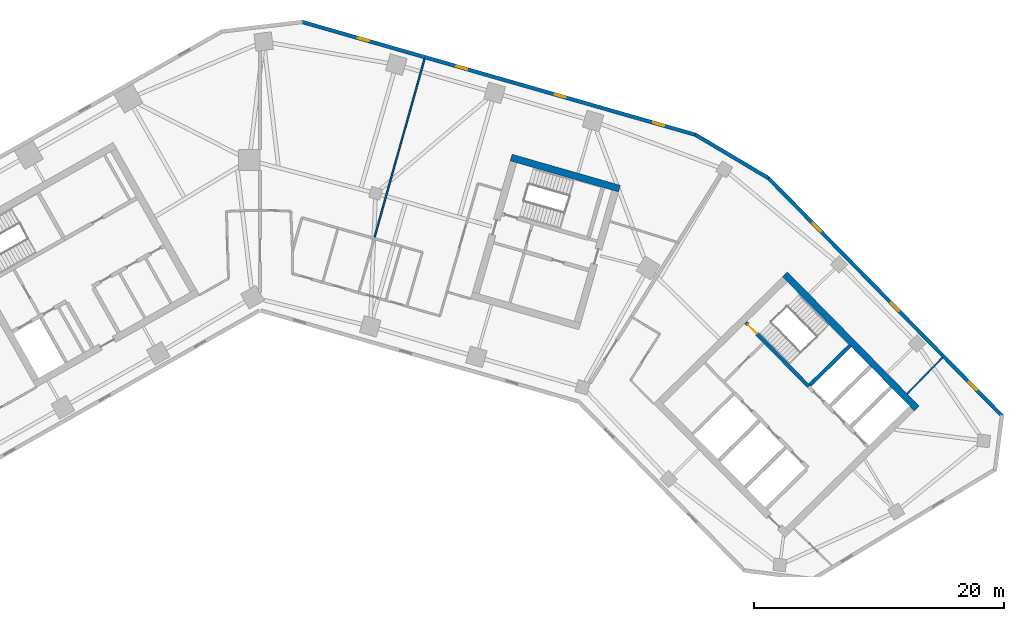
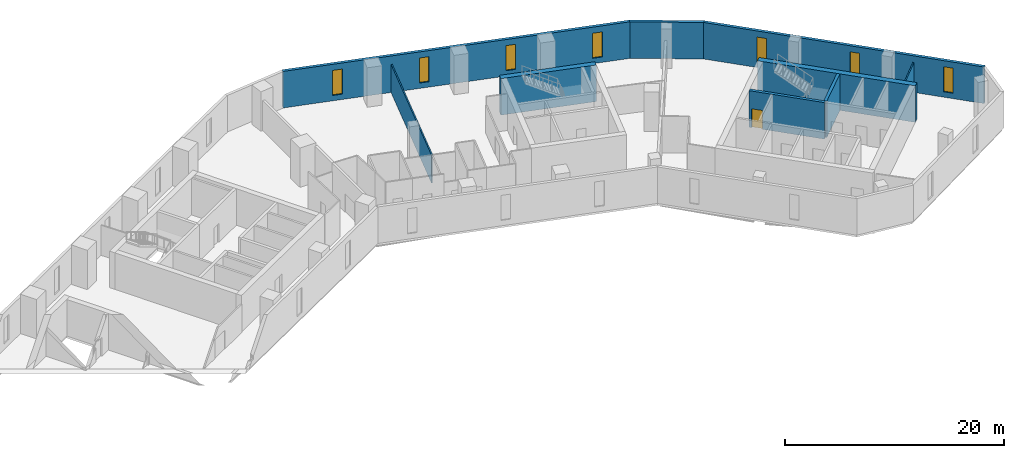
# One storey, part 7 of 10: 9 walls, 7 windows, 1 door, 8 openings.
"""IFC4 building model written with IfcOpenShell, lengths in metres."""

from ifc_helpers import new_model, si_unit, direction, frame, frame_2d, origin, place, context, subcontext, project, spatial, rectangle, extrude, material, layer, layer_set, type_object, element, fill, save


model = new_model("IFC4")

# Units and contexts
model_context = context("Model", 3, precision=1e-05, world=origin(), true_north=direction((0.0, 1.0)))
body_context = subcontext(model_context, "Body", "Model", "MODEL_VIEW")
ifc_project = project(units=[si_unit("LENGTHUNIT", "METRE"), si_unit("AREAUNIT", "SQUARE_METRE"), si_unit("VOLUMEUNIT", "CUBIC_METRE"), si_unit("PLANEANGLEUNIT", "RADIAN"), si_unit("MASSUNIT", "GRAM", prefix="KILO")], contexts=[model_context])

# Site, building, storey
site_placement = place(None, origin())
site = spatial("IfcSite", under=ifc_project, at=site_placement, CompositionType="ELEMENT")
building_placement = place(site_placement, origin())
building = spatial("IfcBuilding", under=site, at=building_placement, Name="Binnacle Exchange Tower", CompositionType="ELEMENT")
storey_placement = place(building_placement, frame((0.0, 0.0, 136.699951171875)))
storey = spatial("IfcBuildingStorey", under=building, at=storey_placement, Name="L28", CompositionType="ELEMENT", Elevation=136.699951171875)

# Walls
ifc_material_1 = material(Name="Concrete C70/85", Category="concrete")
ifc_layer_1 = layer(ifc_material_1, 0.550048828125)
ifc_layer_set_1 = layer_set([ifc_layer_1], Name="Core wall - outer 550")
wall_type_1 = type_object("IfcWallType", Name="Core wall - outer 550", PredefinedType="SOLIDWALL", material=ifc_layer_set_1)
wall_1_placement = place(storey_placement, frame((41.934326171875, 50.873291015625, 0.0), z_axis=(0.0, 0.0, 1.0), x_axis=(0.700911255944, -0.713248491965, 0.0)))
element("IfcWall", 1, at=wall_1_placement, inside=storey, type_object=wall_type_1, Name="Core wall CRWB6", PredefinedType="SOLIDWALL", context=body_context, shape_type="SweptSolid", body=[
    extrude(rectangle(XDim=15.0, YDim=0.550048828125, at=frame_2d((7.5, 0.0))), origin(), (0.0, 0.0, 1.0), 4.080078125),
])
wall_2_placement = place(storey_placement, frame((20.059814453125, 60.20361328125, 0.0), z_axis=(0.0, 0.0, 1.0), x_axis=(0.96126248289, -0.275634611374, 0.0)))
element("IfcWall", 2, at=wall_2_placement, inside=storey, type_object=wall_type_1, Name="Core wall CRWD6", PredefinedType="SOLIDWALL", context=body_context, shape_type="SweptSolid", body=[
    extrude(rectangle(XDim=9.0, YDim=0.550048828125, at=frame_2d((4.5, 0.0))), origin(), (0.0, 0.0, 1.0), 4.080078125),
])

# Wall, opening, door
ifc_layer_2 = layer(ifc_material_1, 0.300048828125)
ifc_layer_set_2 = layer_set([ifc_layer_2], Name="Core wall - stair 300")
wall_type_2 = type_object("IfcWallType", Name="Core wall - stair 300", PredefinedType="SOLIDWALL", material=ifc_layer_set_2)
wall_3_placement = place(storey_placement, frame((38.806884765625, 47.029052734375, 0.0), z_axis=(0.0, 0.0, 1.0), x_axis=(0.700916852778, -0.713242991898, 0.0)))
wall_3 = element("IfcWall", 3, at=wall_3_placement, inside=storey, type_object=wall_type_2, Name="Core wall CRWB4", PredefinedType="SOLIDWALL", context=body_context, shape_type="SweptSolid", body=[
    extrude(rectangle(XDim=7.150146484375, YDim=0.300048828125, at=frame_2d((3.5751953125, 0.0))), origin(), (0.0, 0.0, 1.0), 4.080078125),
])
opening_1_placement = place(wall_3_placement, frame((0.25, 0.0, 0.0)))
opening_1 = element("IfcOpeningElement", 4, at=opening_1_placement, cuts=wall_3, Name="Opening DB1", PredefinedType="OPENING", context=body_context, shape_type="SweptSolid", body=[
    extrude(rectangle(XDim=1.0, YDim=2.10009765625, at=frame_2d((0.5, 1.050048828125))), frame((0.0, 0.159912109375, 0.0), z_axis=(0.0, -1.0, 0.0), x_axis=(1.0, 0.0, 0.0)), (0.0, 0.0, 1.0), 0.320068359375),
])
ifc_material_2 = material(Name="Steel door leaf", Category="steel")
door_type = type_object("IfcDoorType", Name="Fire door 1000", OperationType="NOTDEFINED", PredefinedType="DOOR", material=ifc_material_2)
door_placement = place(opening_1_placement, origin())
door = element("IfcDoor", 5, at=door_placement, inside=storey, type_object=door_type, Name="Stair door ST-B1", OperationType="SINGLE_SWING_LEFT", OverallHeight=2.10009765625, OverallWidth=1.0, PredefinedType="DOOR", context=body_context, shape_type="SweptSolid", body=[
    extrude(rectangle(XDim=1.0, YDim=2.10009765625, at=frame_2d((0.5, 1.050048828125))), frame((0.0, 0.02490234375, 0.0), z_axis=(0.0, -1.0, 0.0), x_axis=(1.0, 0.0, 0.0)), (0.0, 0.0, 1.0), 0.050048828125),
])
fill(opening_1, door)

# Walls
wall_4_placement = place(storey_placement, frame((43.925537109375, 42.034423828125, 0.0), z_axis=(0.0, 0.0, 1.0), x_axis=(0.713210801054, 0.700949608217, 0.0)))
element("IfcWall", 6, at=wall_4_placement, inside=storey, type_object=wall_type_2, Name="Core wall CRWB11", PredefinedType="SOLIDWALL", context=body_context, shape_type="SweptSolid", body=[
    extrude(rectangle(XDim=4.5, YDim=0.300048828125, at=frame_2d((2.25, 0.0))), origin(), (0.0, 0.0, 1.0), 4.080078125),
])
ifc_material_3 = material(Name="Bronze aluminium cladding", Category="aluminium")
ifc_layer_3 = layer(ifc_material_3, 0.300048828125)
ifc_layer_set_3 = layer_set([ifc_layer_3], Name="External wall - spandrel 300")
wall_type_3 = type_object("IfcWallType", Name="External wall - spandrel 300", PredefinedType="STANDARD", material=ifc_layer_set_3)
wall_5_placement = place(storey_placement, frame((34.773193359375, 62.0341796875, 0.0), z_axis=(0.0, 0.0, 1.0), x_axis=(0.859401317772, -0.511301647769, 0.0)))
element("IfcWall", 7, at=wall_5_placement, inside=storey, type_object=wall_type_3, Name="External wall EW-F00 L28", PredefinedType="STANDARD", context=body_context, shape_type="SweptSolid", body=[
    extrude(rectangle(XDim=6.80810546875, YDim=0.300048828125, at=frame_2d((3.404052734375, 0.0))), origin(), (0.0, 0.0, 1.0), 4.080078125),
])

# Wall, openings, windows
wall_6_placement = place(storey_placement, frame((3.33544921875, 71.043701171875, 0.0), z_axis=(0.0, 0.0, 1.0), x_axis=(0.961260130989, -0.275642813387, 0.0)))
wall_6 = element("IfcWall", 8, at=wall_6_placement, inside=storey, type_object=wall_type_3, Name="External wall EW-F01 L28", PredefinedType="STANDARD", context=body_context, shape_type="SweptSolid", body=[
    extrude(rectangle(XDim=32.7412109375, YDim=0.300048828125, at=frame_2d((16.37060546875, 0.0))), origin(), (0.0, 0.0, 1.0), 4.080078125),
])
opening_2_placement = place(wall_6_placement, frame((29.20703125, 0.0, 0.60009765625)))
opening_2 = element("IfcOpeningElement", 9, at=opening_2_placement, cuts=wall_6, Name="Opening WS2", PredefinedType="OPENING", context=body_context, shape_type="SweptSolid", body=[
    extrude(rectangle(XDim=0.89990234375, YDim=2.800048828125, at=frame_2d((0.449951171875, 1.39990234375))), frame((0.0, 0.159912109375, 0.0), z_axis=(0.0, -1.0, 0.0), x_axis=(1.0, 0.0, 0.0)), (0.0, 0.0, 1.0), 0.320068359375),
])
opening_3_placement = place(wall_6_placement, frame((21.0341796875, 0.0, 0.60009765625)))
opening_3 = element("IfcOpeningElement", 10, at=opening_3_placement, cuts=wall_6, Name="Opening WS2", PredefinedType="OPENING", context=body_context, shape_type="SweptSolid", body=[
    extrude(rectangle(XDim=0.89990234375, YDim=2.800048828125, at=frame_2d((0.449951171875, 1.39990234375))), frame((0.0, 0.159912109375, 0.0), z_axis=(0.0, -1.0, 0.0), x_axis=(1.0, 0.0, 0.0)), (0.0, 0.0, 1.0), 0.320068359375),
])
opening_4_placement = place(wall_6_placement, frame((12.861083984375, 0.0, 0.60009765625)))
opening_4 = element("IfcOpeningElement", 11, at=opening_4_placement, cuts=wall_6, Name="Opening WS2", PredefinedType="OPENING", context=body_context, shape_type="SweptSolid", body=[
    extrude(rectangle(XDim=0.89990234375, YDim=2.800048828125, at=frame_2d((0.449951171875, 1.39990234375))), frame((0.0, 0.159912109375, 0.0), z_axis=(0.0, -1.0, 0.0), x_axis=(1.0, 0.0, 0.0)), (0.0, 0.0, 1.0), 0.320068359375),
])
opening_5_placement = place(wall_6_placement, frame((4.688232421875, 0.0, 0.60009765625)))
opening_5 = element("IfcOpeningElement", 12, at=opening_5_placement, cuts=wall_6, Name="Opening WS2", PredefinedType="OPENING", context=body_context, shape_type="SweptSolid", body=[
    extrude(rectangle(XDim=0.89990234375, YDim=2.800048828125, at=frame_2d((0.449951171875, 1.39990234375))), frame((0.0, 0.159912109375, 0.0), z_axis=(0.0, -1.0, 0.0), x_axis=(1.0, 0.0, 0.0)), (0.0, 0.0, 1.0), 0.320068359375),
])
ifc_material_4 = material(Name="Bronze anodised aluminium frame", Category="aluminium")
window_type = type_object("IfcWindowType", Name="WS2 WINDOW 900x2800", PartitioningType="SINGLE_PANEL", PredefinedType="WINDOW", material=ifc_material_4)
window_1_placement = place(opening_2_placement, origin())
window_1 = element("IfcWindow", 13, at=window_1_placement, inside=storey, type_object=window_type, Name="Window WS2 L28", OverallHeight=2.800048828125, OverallWidth=0.89990234375, PartitioningType="SINGLE_PANEL", PredefinedType="WINDOW", context=body_context, shape_type="SweptSolid", body=[
    extrude(rectangle(XDim=0.89990234375, YDim=2.800048828125, at=frame_2d((0.449951171875, 1.39990234375))), frame((0.0, 0.030029296875, 0.0), z_axis=(0.0, -1.0, 0.0), x_axis=(1.0, 0.0, 0.0)), (0.0, 0.0, 1.0), 0.06005859375),
])
fill(opening_2, window_1)
window_2_placement = place(opening_3_placement, origin())
window_2 = element("IfcWindow", 14, at=window_2_placement, inside=storey, type_object=window_type, Name="Window WS2 L28", OverallHeight=2.800048828125, OverallWidth=0.89990234375, PartitioningType="SINGLE_PANEL", PredefinedType="WINDOW", context=body_context, shape_type="SweptSolid", body=[
    extrude(rectangle(XDim=0.89990234375, YDim=2.800048828125, at=frame_2d((0.449951171875, 1.39990234375))), frame((0.0, 0.030029296875, 0.0), z_axis=(0.0, -1.0, 0.0), x_axis=(1.0, 0.0, 0.0)), (0.0, 0.0, 1.0), 0.06005859375),
])
fill(opening_3, window_2)
window_3_placement = place(opening_4_placement, origin())
window_3 = element("IfcWindow", 15, at=window_3_placement, inside=storey, type_object=window_type, Name="Window WS2 L28", OverallHeight=2.800048828125, OverallWidth=0.89990234375, PartitioningType="SINGLE_PANEL", PredefinedType="WINDOW", context=body_context, shape_type="SweptSolid", body=[
    extrude(rectangle(XDim=0.89990234375, YDim=2.800048828125, at=frame_2d((0.449951171875, 1.39990234375))), frame((0.0, 0.030029296875, 0.0), z_axis=(0.0, -1.0, 0.0), x_axis=(1.0, 0.0, 0.0)), (0.0, 0.0, 1.0), 0.06005859375),
])
fill(opening_4, window_3)
window_4_placement = place(opening_5_placement, origin())
window_4 = element("IfcWindow", 16, at=window_4_placement, inside=storey, type_object=window_type, Name="Window WS2 L28", OverallHeight=2.800048828125, OverallWidth=0.89990234375, PartitioningType="SINGLE_PANEL", PredefinedType="WINDOW", context=body_context, shape_type="SweptSolid", body=[
    extrude(rectangle(XDim=0.89990234375, YDim=2.800048828125, at=frame_2d((0.449951171875, 1.39990234375))), frame((0.0, 0.030029296875, 0.0), z_axis=(0.0, -1.0, 0.0), x_axis=(1.0, 0.0, 0.0)), (0.0, 0.0, 1.0), 0.06005859375),
])
fill(opening_5, window_4)

wall_7_placement = place(storey_placement, frame((40.59375, 58.576904296875, 0.0), z_axis=(0.0, 0.0, 1.0), x_axis=(0.700909719808, -0.713250001528, 0.0)))
wall_7 = element("IfcWall", 17, at=wall_7_placement, inside=storey, type_object=wall_type_3, Name="External wall EW-F13 L28", PredefinedType="STANDARD", context=body_context, shape_type="SweptSolid", body=[
    extrude(rectangle(XDim=26.70849609375, YDim=0.300048828125, at=frame_2d((13.354248046875, 0.0))), origin(), (0.0, 0.0, 1.0), 4.080078125),
])
opening_6_placement = place(wall_7_placement, frame((22.8583984375, 0.0, 0.60009765625)))
opening_6 = element("IfcOpeningElement", 18, at=opening_6_placement, cuts=wall_7, Name="Opening WS2", PredefinedType="OPENING", context=body_context, shape_type="SweptSolid", body=[
    extrude(rectangle(XDim=0.89990234375, YDim=2.800048828125, at=frame_2d((0.449951171875, 1.39990234375))), frame((0.0, 0.159912109375, 0.0), z_axis=(0.0, -1.0, 0.0), x_axis=(1.0, 0.0, 0.0)), (0.0, 0.0, 1.0), 0.320068359375),
])
opening_7_placement = place(wall_7_placement, frame((13.986572265625, 0.0, 0.60009765625)))
opening_7 = element("IfcOpeningElement", 19, at=opening_7_placement, cuts=wall_7, Name="Opening WS2", PredefinedType="OPENING", context=body_context, shape_type="SweptSolid", body=[
    extrude(rectangle(XDim=0.89990234375, YDim=2.800048828125, at=frame_2d((0.449951171875, 1.39990234375))), frame((0.0, 0.159912109375, 0.0), z_axis=(0.0, -1.0, 0.0), x_axis=(1.0, 0.0, 0.0)), (0.0, 0.0, 1.0), 0.320068359375),
])
opening_8_placement = place(wall_7_placement, frame((5.114501953125, 0.0, 0.60009765625)))
opening_8 = element("IfcOpeningElement", 20, at=opening_8_placement, cuts=wall_7, Name="Opening WS2", PredefinedType="OPENING", context=body_context, shape_type="SweptSolid", body=[
    extrude(rectangle(XDim=0.89990234375, YDim=2.800048828125, at=frame_2d((0.449951171875, 1.39990234375))), frame((0.0, 0.159912109375, 0.0), z_axis=(0.0, -1.0, 0.0), x_axis=(1.0, 0.0, 0.0)), (0.0, 0.0, 1.0), 0.320068359375),
])
window_5_placement = place(opening_6_placement, origin())
window_5 = element("IfcWindow", 21, at=window_5_placement, inside=storey, type_object=window_type, Name="Window WS2 L28", OverallHeight=2.800048828125, OverallWidth=0.89990234375, PartitioningType="SINGLE_PANEL", PredefinedType="WINDOW", context=body_context, shape_type="SweptSolid", body=[
    extrude(rectangle(XDim=0.89990234375, YDim=2.800048828125, at=frame_2d((0.449951171875, 1.39990234375))), frame((0.0, 0.030029296875, 0.0), z_axis=(0.0, -1.0, 0.0), x_axis=(1.0, 0.0, 0.0)), (0.0, 0.0, 1.0), 0.06005859375),
])
fill(opening_6, window_5)
window_6_placement = place(opening_7_placement, origin())
window_6 = element("IfcWindow", 22, at=window_6_placement, inside=storey, type_object=window_type, Name="Window WS2 L28", OverallHeight=2.800048828125, OverallWidth=0.89990234375, PartitioningType="SINGLE_PANEL", PredefinedType="WINDOW", context=body_context, shape_type="SweptSolid", body=[
    extrude(rectangle(XDim=0.89990234375, YDim=2.800048828125, at=frame_2d((0.449951171875, 1.39990234375))), frame((0.0, 0.030029296875, 0.0), z_axis=(0.0, -1.0, 0.0), x_axis=(1.0, 0.0, 0.0)), (0.0, 0.0, 1.0), 0.06005859375),
])
fill(opening_7, window_6)
window_7_placement = place(opening_8_placement, origin())
window_7 = element("IfcWindow", 23, at=window_7_placement, inside=storey, type_object=window_type, Name="Window WS2 L28", OverallHeight=2.800048828125, OverallWidth=0.89990234375, PartitioningType="SINGLE_PANEL", PredefinedType="WINDOW", context=body_context, shape_type="SweptSolid", body=[
    extrude(rectangle(XDim=0.89990234375, YDim=2.800048828125, at=frame_2d((0.449951171875, 1.39990234375))), frame((0.0, 0.030029296875, 0.0), z_axis=(0.0, -1.0, 0.0), x_axis=(1.0, 0.0, 0.0)), (0.0, 0.0, 1.0), 0.06005859375),
])
fill(opening_8, window_7)

# Walls
ifc_material_5 = material(Name="Gypsum partition")
ifc_layer_4 = layer(ifc_material_5, 0.125)
ifc_layer_set_4 = layer_set([ifc_layer_4], Name="Partition 125")
wall_type_4 = type_object("IfcWallType", Name="Partition 125", PredefinedType="PARTITIONING", material=ifc_layer_set_4)
wall_8_placement = place(storey_placement, frame((9.12890625, 53.740966796875, 0.0), z_axis=(0.0, 0.0, 1.0), x_axis=(0.269791738843, 0.962918697322, 0.0)))
element("IfcWall", 24, at=wall_8_placement, inside=storey, type_object=wall_type_4, Name="Partition W23", PredefinedType="PARTITIONING", context=body_context, shape_type="SweptSolid", body=[
    extrude(rectangle(XDim=14.885986328125, YDim=0.125, at=frame_2d((7.44287109375, 0.0))), origin(), (0.0, 0.0, 1.0), 3.14208984375),
])
wall_9_placement = place(storey_placement, frame((51.68798828125, 41.340087890625, 0.0), z_axis=(0.0, 0.0, 1.0), x_axis=(0.698090794369, 0.716009247718, 0.0)))
element("IfcWall", 25, at=wall_9_placement, inside=storey, type_object=wall_type_4, Name="Partition W41", PredefinedType="PARTITIONING", context=body_context, shape_type="SweptSolid", body=[
    extrude(rectangle(XDim=4.019287109375, YDim=0.125, at=frame_2d((2.009765625, 0.0))), origin(), (0.0, 0.0, 1.0), 3.360107421875),
])

save(model, "model.ifc")
